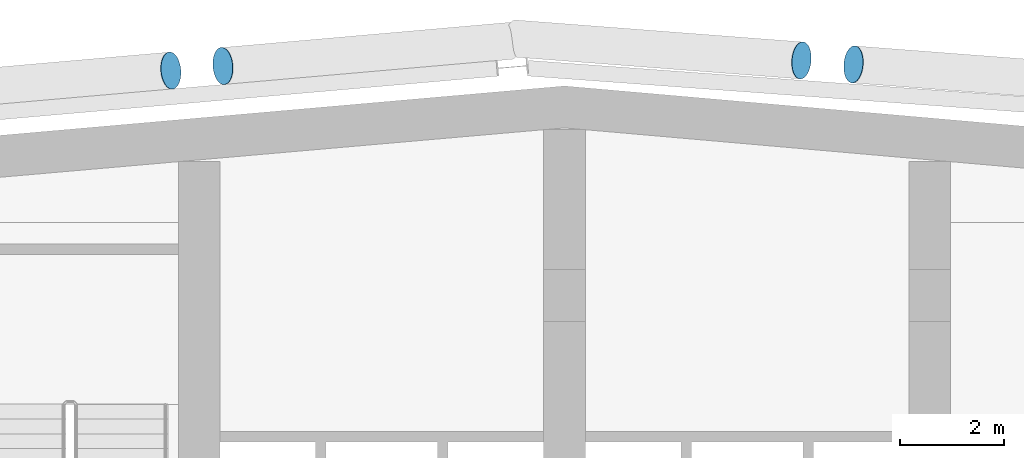
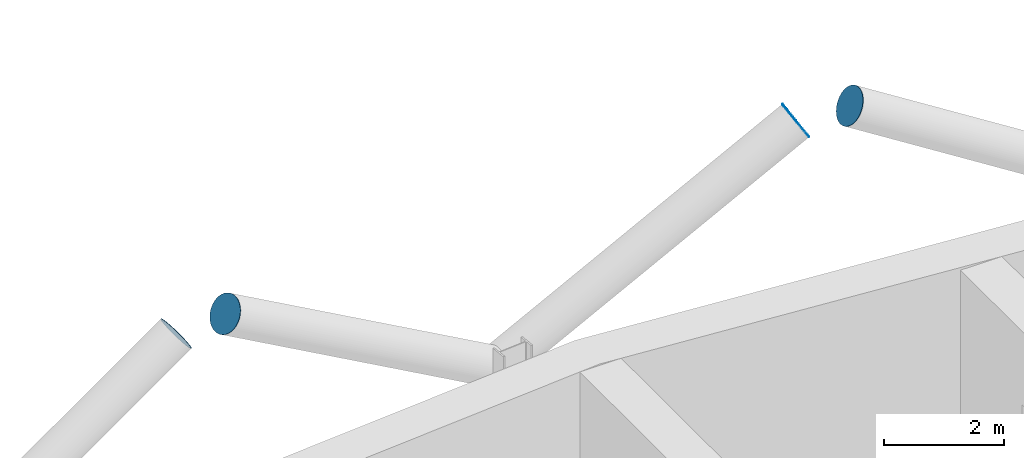
# One storey, part 25 of 29: 4 discrete accessories.
"""IFC4 building model written with IfcOpenShell, lengths in metres."""

from ifc_helpers import new_model, si_unit, direction, frame, origin, origin_2d, place, context, subcontext, project, spatial, circle, extrude, material, material_profile, profile_set, type_object, element, save


model = new_model("IFC4")

# Units and contexts
model_context = context("Model", 3, precision=1e-05, world=origin(), true_north=direction((0.0, 1.0)))
body_context = subcontext(model_context, "Body", "Model", "MODEL_VIEW")
ifc_project = project(units=[si_unit("LENGTHUNIT", "METRE"), si_unit("AREAUNIT", "SQUARE_METRE"), si_unit("VOLUMEUNIT", "CUBIC_METRE"), si_unit("PLANEANGLEUNIT", "RADIAN"), si_unit("MASSUNIT", "GRAM", prefix="KILO")], contexts=[model_context])

# Site, building, storey
site_placement = place(None, origin())
site = spatial("IfcSite", under=ifc_project, at=site_placement, CompositionType="ELEMENT")
building_placement = place(site_placement, origin())
building = spatial("IfcBuilding", under=site, at=building_placement, Name="Wharfspan Tower", CompositionType="ELEMENT")
storey_placement = place(building_placement, frame((0.0, 0.0, 162.699951)))
storey = spatial("IfcBuildingStorey", under=building, at=storey_placement, Name="L39", CompositionType="ELEMENT", Elevation=162.699951)

# Discrete accessories
ifc_material = material(Name="Steel S460NH", Category="steel")
ifc_material_profile = material_profile(ifc_material, circle(Radius=0.355469, at=origin_2d()))
ifc_profile_set = profile_set([ifc_material_profile], Name="Steel S460NH")
discrete_accessory_type = type_object("IfcDiscreteAccessoryType", Name="End plate CHS 711x36", PredefinedType="BRACKET", material=ifc_profile_set)
for number, where, z_axis, x_axis, name in (
    (1, (29.450928, 50.918701, 6.196777), (0.844416, 0.072379, 0.530776), (-0.085402, 0.99635, 0.0), "End plate CHS 711x36"),
    (2, (30.461426, 51.00708, 6.196777), (-0.844416, -0.072379, 0.530776), (0.085402, -0.99635, 0.0), "End plate CHS 711x36"),
    (3, (41.533447, 51.114502, 6.197021), (0.855186, -0.073302, 0.513112), (0.085402, 0.996345, -1e-06), "End plate CHS 711x36"),
    (4, (42.543213, 51.037354, 6.197021), (-0.855186, 0.073302, 0.513112), (-0.085402, -0.996345, -1e-06), "End plate CHS 711x36"),
):
    element("IfcDiscreteAccessory", number, at=place(storey_placement, frame(where, z_axis=z_axis, x_axis=x_axis)), inside=storey, type_object=discrete_accessory_type, Name=name, PredefinedType="BRACKET", context=body_context, shape_type="SweptSolid", body=[
        extrude(circle(Radius=0.355469, at=origin_2d()), origin(), (0.0, 0.0, 1.0), 0.01001),
    ])

save(model, "model.ifc")
